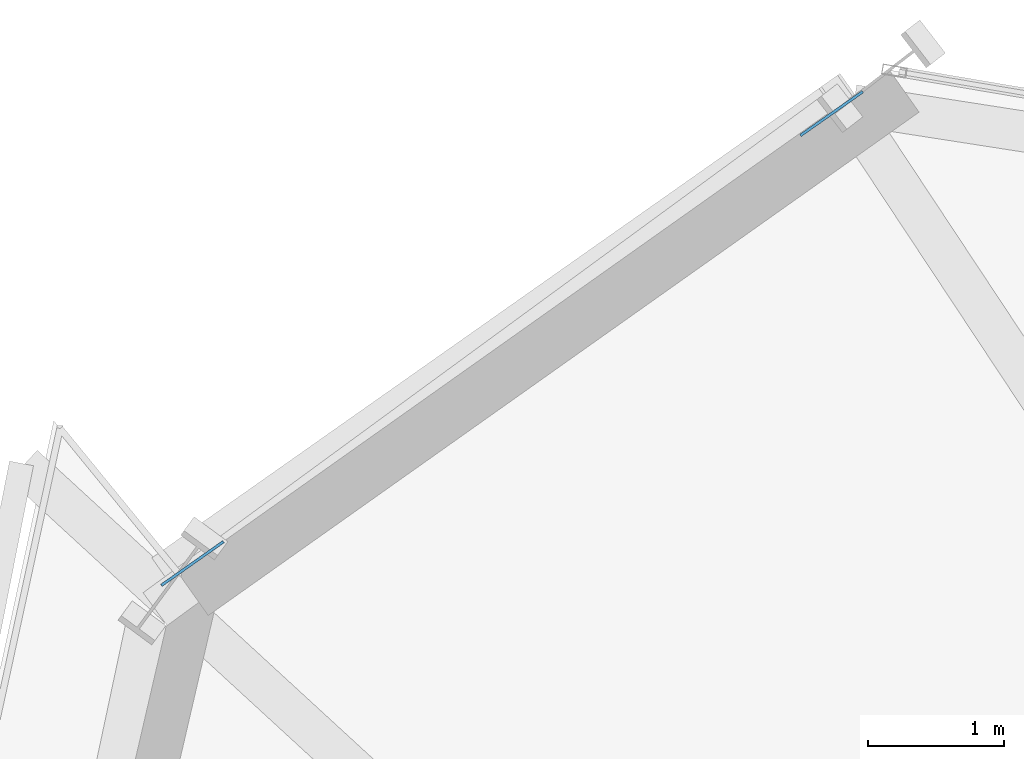
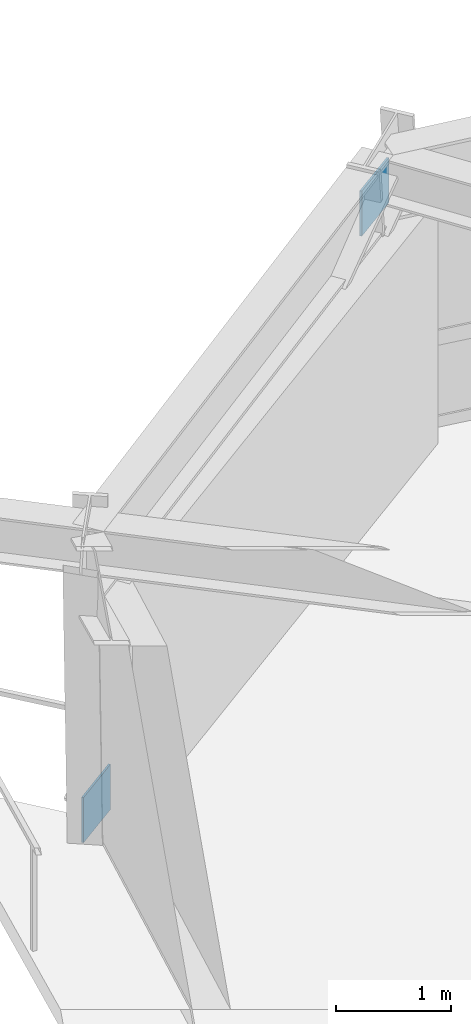
# One storey, part 14 of 21: 2 plates.
"""IFC4 building model written with IfcOpenShell, lengths in metres."""

from ifc_helpers import new_model, si_unit, direction, frame, origin, origin_2d, place, context, subcontext, project, spatial, rectangle, extrude, source, transform, mapped, material, type_object, element, save


model = new_model("IFC4")

# Units and contexts
model_context = context("Model", 3, precision=1e-05, world=origin(), true_north=direction((0.0, 1.0)))
body_context = subcontext(model_context, "Body", "Model", "MODEL_VIEW")
ifc_project = project(units=[si_unit("LENGTHUNIT", "METRE"), si_unit("AREAUNIT", "SQUARE_METRE"), si_unit("VOLUMEUNIT", "CUBIC_METRE"), si_unit("PLANEANGLEUNIT", "RADIAN"), si_unit("MASSUNIT", "GRAM", prefix="KILO")], contexts=[model_context])

# Site, building, storey
site_placement = place(None, origin())
site = spatial("IfcSite", under=ifc_project, at=site_placement, CompositionType="ELEMENT")
building_placement = place(site_placement, origin())
building = spatial("IfcBuilding", under=site, at=building_placement, Name="Olszyna Solenne Hotel", CompositionType="ELEMENT")
storey_placement = place(building_placement, frame((0.0, 0.0, 47.050048828125)))
storey = spatial("IfcBuildingStorey", under=building, at=storey_placement, Name="L11", CompositionType="ELEMENT", Elevation=47.050048828125)

# Plates
ifc_material = material(Name="Steel S355J2", Category="steel")
plate_type = type_object("IfcPlateType", Name="GP-ND2", PredefinedType="USERDEFINED", material=ifc_material)
shared_shape = source(origin(), body_context, "Body", "SweptSolid", [
    extrude(rectangle(XDim=0.56005859375, YDim=0.02001953125, at=origin_2d()), origin(), (0.0, 0.0, 1.0), 0.47998046875),
])
for number, where, z_axis, x_axis, name in (
    (1, (19.652587890625, 43.66162109375, -0.169189453125), (0.0, 0.0, 1.0), (0.817748088685, 0.575576288125, 0.0), "Brace end connection gusset plate GP-ND2 EP-BR-L11-2-1"),
    (2, (24.363037109375, 46.977294921875, 2.614013671875), (0.0, 0.0, 1.0), (0.817748088685, 0.575576288125, 0.0), "Brace end connection gusset plate GP-ND2 EP-BR-L11-2-2"),
):
    element("IfcPlate", number, at=place(storey_placement, frame(where, z_axis=z_axis, x_axis=x_axis)), inside=storey, type_object=plate_type, Name=name, ObjectType="GUSSET_PLATE", PredefinedType="USERDEFINED", context=body_context, shape_type="MappedRepresentation", body=[
        mapped(shared_shape, transform((0.0, 0.0, 0.0), x_axis=(1.0, 0.0, 0.0), y_axis=(0.0, 1.0, 0.0), z_axis=(0.0, 0.0, 1.0), scale=1.0)),
    ])

save(model, "model.ifc")
